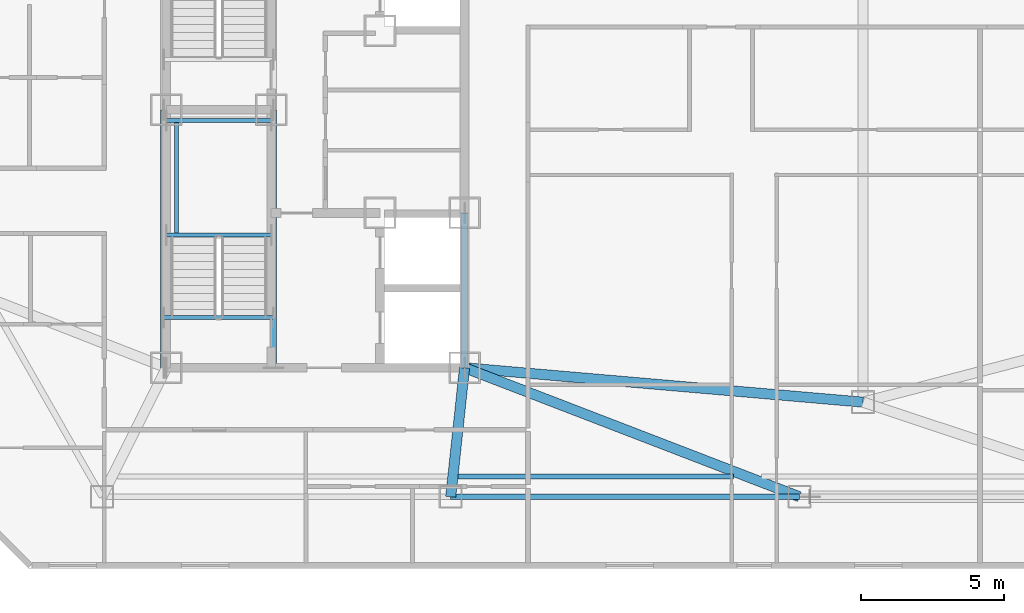
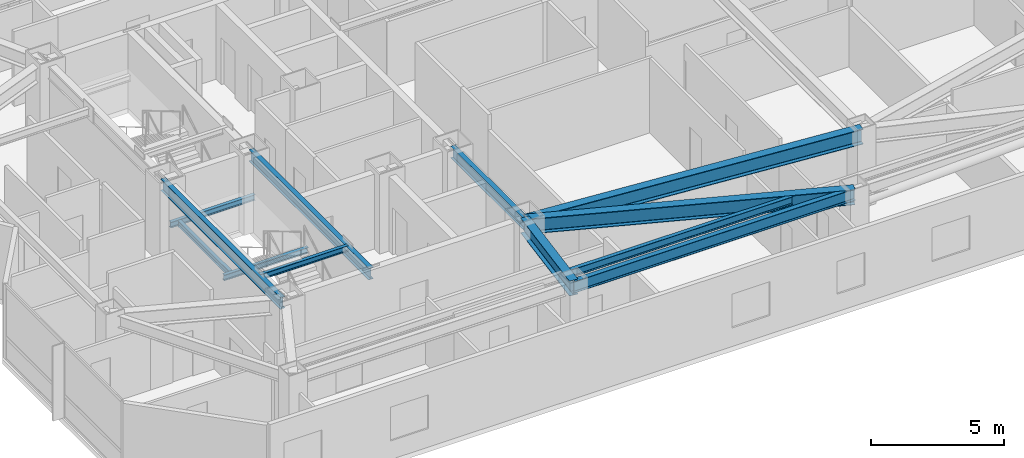
# One storey, part 5 of 15: 12 beams.
"""IFC4 building model written with IfcOpenShell, lengths in metres."""

from ifc_helpers import new_model, si_unit, direction, frame, origin, origin_2d, place, context, subcontext, project, spatial, i_section, extrude, material, material_profile, profile_set, type_object, element, save


model = new_model("IFC4")

# Units and contexts
model_context = context("Model", 3, precision=1e-05, world=origin(), true_north=direction((0.0, 1.0)))
body_context = subcontext(model_context, "Body", "Model", "MODEL_VIEW")
ifc_project = project(units=[si_unit("LENGTHUNIT", "METRE"), si_unit("AREAUNIT", "SQUARE_METRE"), si_unit("VOLUMEUNIT", "CUBIC_METRE"), si_unit("PLANEANGLEUNIT", "RADIAN"), si_unit("MASSUNIT", "GRAM", prefix="KILO")], contexts=[model_context])

# Site, building, storey
site_placement = place(None, origin())
site = spatial("IfcSite", under=ifc_project, at=site_placement, CompositionType="ELEMENT")
building_placement = place(site_placement, origin())
building = spatial("IfcBuilding", under=site, at=building_placement, Name="Khamvora Tower", CompositionType="ELEMENT")
storey_placement = place(building_placement, frame((0.0, 0.0, 220.85009765625)))
storey = spatial("IfcBuildingStorey", under=building, at=storey_placement, Name="L56", CompositionType="ELEMENT", Elevation=220.85009765625)

# Beams
ifc_material = material(Name="Steel S355", Category="steel")
ifc_material_profile_1 = material_profile(ifc_material, i_section(OverallWidth=0.1708984375, OverallDepth=0.35498046875, WebThickness=0.007080078125, FlangeThickness=0.011962890625, FilletRadius=0.010009765625, at=origin_2d()), Name="W360x51")
ifc_profile_set_1 = profile_set([ifc_material_profile_1], Name="Steel S355")
beam_type_1 = type_object("IfcBeamType", Name="BM-JS-W360x51", PredefinedType="JOIST", material=ifc_profile_set_1)
beam_1_placement = place(storey_placement, frame((39.166015625, 15.199951171875, 3.251953125), z_axis=(1.0, 0.0, 0.0), x_axis=(0.0, 1.0, 0.0)))
element("IfcBeam", 1, at=beam_1_placement, inside=storey, type_object=beam_type_1, Name="L56 secondary floor joist 02", PredefinedType="JOIST", context=body_context, shape_type="SweptSolid", body=[
    extrude(i_section(OverallWidth=0.1708984375, OverallDepth=0.35498046875, WebThickness=0.007080078125, FlangeThickness=0.011962890625, FilletRadius=0.010009765625, at=origin_2d()), origin(), (0.0, 0.0, 1.0), 9.611083984375),
])
ifc_material_profile_2 = material_profile(ifc_material, i_section(OverallWidth=0.14697265625, OverallDepth=0.261962890625, WebThickness=0.007080078125, FlangeThickness=0.010986328125, FilletRadius=0.008056640625, at=origin_2d()), Name="W250x39")
ifc_profile_set_2 = profile_set([ifc_material_profile_2], Name="Steel S355")
beam_type_2 = type_object("IfcBeamType", Name="BM-LN-W250x39", PredefinedType="LINTEL", material=ifc_profile_set_2)
for number, where, z_axis, x_axis, name in (
    (2, (29.0, 23.635009765625, 1.493896484375), (1.0, 0.0, 0.0), (0.0, 1.0, 0.0), "L56 ST-01 half-landing support beam 1.1"),
    (3, (29.0, 27.6298828125, 1.493896484375), (1.0, 0.0, 0.0), (0.0, 1.0, 0.0), "L56 ST-01 half-landing support beam 1.2"),
):
    element("IfcBeam", number, at=place(storey_placement, frame(where, z_axis=z_axis, x_axis=x_axis)), inside=storey, type_object=beam_type_2, Name=name, PredefinedType="LINTEL", context=body_context, shape_type="SweptSolid", body=[
        extrude(i_section(OverallWidth=0.14697265625, OverallDepth=0.261962890625, WebThickness=0.007080078125, FlangeThickness=0.010986328125, FilletRadius=0.008056640625, at=origin_2d()), origin(), (0.0, 0.0, 1.0), 3.64990234375),
    ])
beam_2_placement = place(storey_placement, frame((29.35009765625, 23.635009765625, 1.493896484375), z_axis=(0.0, 1.0, 0.0), x_axis=(-1.0, 0.0, 0.0)))
element("IfcBeam", 4, at=beam_2_placement, inside=storey, type_object=beam_type_2, Name="L56 ST-01 half-landing edge stringer 1", PredefinedType="LINTEL", context=body_context, shape_type="SweptSolid", body=[
    extrude(i_section(OverallWidth=0.14697265625, OverallDepth=0.261962890625, WebThickness=0.007080078125, FlangeThickness=0.010986328125, FilletRadius=0.008056640625, at=origin_2d()), origin(), (0.0, 0.0, 1.0), 3.994873046875),
])
beam_3_placement = place(storey_placement, frame((28.89990234375, 20.75, 3.303955078125), z_axis=(1.0, 0.0, 0.0), x_axis=(0.0, 1.0, 0.0)))
element("IfcBeam", 5, at=beam_3_placement, inside=storey, type_object=beam_type_2, Name="L56 exit stair ST-01 landing trimmer beam", PredefinedType="LINTEL", context=body_context, shape_type="SweptSolid", body=[
    extrude(i_section(OverallWidth=0.14697265625, OverallDepth=0.261962890625, WebThickness=0.007080078125, FlangeThickness=0.010986328125, FilletRadius=0.008056640625, at=origin_2d()), origin(), (0.0, 0.0, 1.0), 3.830078125),
])
ifc_material_profile_3 = material_profile(ifc_material, i_section(OverallWidth=0.35498046875, OverallDepth=0.695068359375, WebThickness=0.014892578125, FlangeThickness=0.02490234375, FilletRadius=0.01611328125, at=origin_2d()), Name="W690x217")
ifc_profile_set_3 = profile_set([ifc_material_profile_3], Name="Steel S355")
beam_type_3 = type_object("IfcBeamType", Name="BM-PG-W690x217", PredefinedType="BEAM", material=ifc_profile_set_3)
beam_4_placement = place(storey_placement, frame((39.39990234375, 19.0, 3.0830078125), z_axis=(-0.106700735484, -0.994291181218, 0.0), x_axis=(0.994291181218, -0.106700735484, 0.0)))
element("IfcBeam", 6, at=beam_4_placement, inside=storey, type_object=beam_type_3, Name="L56 primary floor girder S2", PredefinedType="BEAM", context=body_context, shape_type="SweptSolid", body=[
    extrude(i_section(OverallWidth=0.35498046875, OverallDepth=0.695068359375, WebThickness=0.014892578125, FlangeThickness=0.02490234375, FilletRadius=0.01611328125, at=origin_2d()), origin(), (0.0, 0.0, 1.0), 4.52587890625),
])
beam_5_placement = place(storey_placement, frame((39.39990234375, 19.0, 3.0830078125), z_axis=(0.933171601475, -0.359431164759, 0.0), x_axis=(0.359431164759, 0.933171601475, 0.0)))
element("IfcBeam", 7, at=beam_5_placement, inside=storey, type_object=beam_type_3, Name="L56 primary floor girder S3", PredefinedType="BEAM", context=body_context, shape_type="SweptSolid", body=[
    extrude(i_section(OverallWidth=0.35498046875, OverallDepth=0.695068359375, WebThickness=0.014892578125, FlangeThickness=0.02490234375, FilletRadius=0.01611328125, at=origin_2d()), origin(), (0.0, 0.0, 1.0), 12.519775390625),
])
beam_6_placement = place(storey_placement, frame((39.39990234375, 19.0, 3.0830078125), z_axis=(0.996294564212, -0.08600663534, 0.0), x_axis=(0.08600663534, 0.996294564212, 0.0)))
element("IfcBeam", 8, at=beam_6_placement, inside=storey, type_object=beam_type_3, Name="L56 primary floor girder M1", PredefinedType="BEAM", context=body_context, shape_type="SweptSolid", body=[
    extrude(i_section(OverallWidth=0.35498046875, OverallDepth=0.695068359375, WebThickness=0.014892578125, FlangeThickness=0.02490234375, FilletRadius=0.01611328125, at=origin_2d()), origin(), (0.0, 0.0, 1.0), 13.951904296875),
])
ifc_material_profile_4 = material_profile(ifc_material, i_section(OverallWidth=0.208984375, OverallDepth=0.532958984375, WebThickness=0.010009765625, FlangeThickness=0.01611328125, FilletRadius=0.013916015625, at=origin_2d()), Name="W530x92")
ifc_profile_set_4 = profile_set([ifc_material_profile_4], Name="Steel S355")
beam_type_4 = type_object("IfcBeamType", Name="BM-SP-W530x92", PredefinedType="SPANDREL", material=ifc_profile_set_4)
beam_7_placement = place(storey_placement, frame((38.9169921875, 14.5, 3.162841796875), z_axis=(1.0, 0.0, 0.0), x_axis=(0.0, 1.0, 0.0)))
element("IfcBeam", 9, at=beam_7_placement, inside=storey, type_object=beam_type_4, Name="L56 perimeter spandrel beam S2-S3", PredefinedType="SPANDREL", context=body_context, shape_type="SweptSolid", body=[
    extrude(i_section(OverallWidth=0.208984375, OverallDepth=0.532958984375, WebThickness=0.010009765625, FlangeThickness=0.01611328125, FilletRadius=0.013916015625, at=origin_2d()), origin(), (0.0, 0.0, 1.0), 12.166015625),
])
for number, where, z_axis, x_axis, name in (
    (10, (28.89990234375, 19.0, 3.162841796875), (0.0, 1.0, 0.0), (-1.0, 0.0, 0.0), "L56 core spine girder WS"),
    (11, (32.72998046875, 19.0, 3.162841796875), (0.0, 1.0, 0.0), (-1.0, 0.0, 0.0), "L56 core spine girder M1S"),
):
    element("IfcBeam", number, at=place(storey_placement, frame(where, z_axis=z_axis, x_axis=x_axis)), inside=storey, type_object=beam_type_4, Name=name, PredefinedType="SPANDREL", context=body_context, shape_type="SweptSolid", body=[
        extrude(i_section(OverallWidth=0.208984375, OverallDepth=0.532958984375, WebThickness=0.010009765625, FlangeThickness=0.01611328125, FilletRadius=0.013916015625, at=origin_2d()), origin(), (0.0, 0.0, 1.0), 9.0),
    ])
beam_8_placement = place(storey_placement, frame((39.39990234375, 19.0, 3.162841796875), z_axis=(0.0, 1.0, 0.0), x_axis=(-1.0, 0.0, 0.0)))
element("IfcBeam", 12, at=beam_8_placement, inside=storey, type_object=beam_type_4, Name="L56 core spine girder ES", PredefinedType="SPANDREL", context=body_context, shape_type="SweptSolid", body=[
    extrude(i_section(OverallWidth=0.208984375, OverallDepth=0.532958984375, WebThickness=0.010009765625, FlangeThickness=0.01611328125, FilletRadius=0.013916015625, at=origin_2d()), origin(), (0.0, 0.0, 1.0), 5.39990234375),
])

save(model, "model.ifc")
